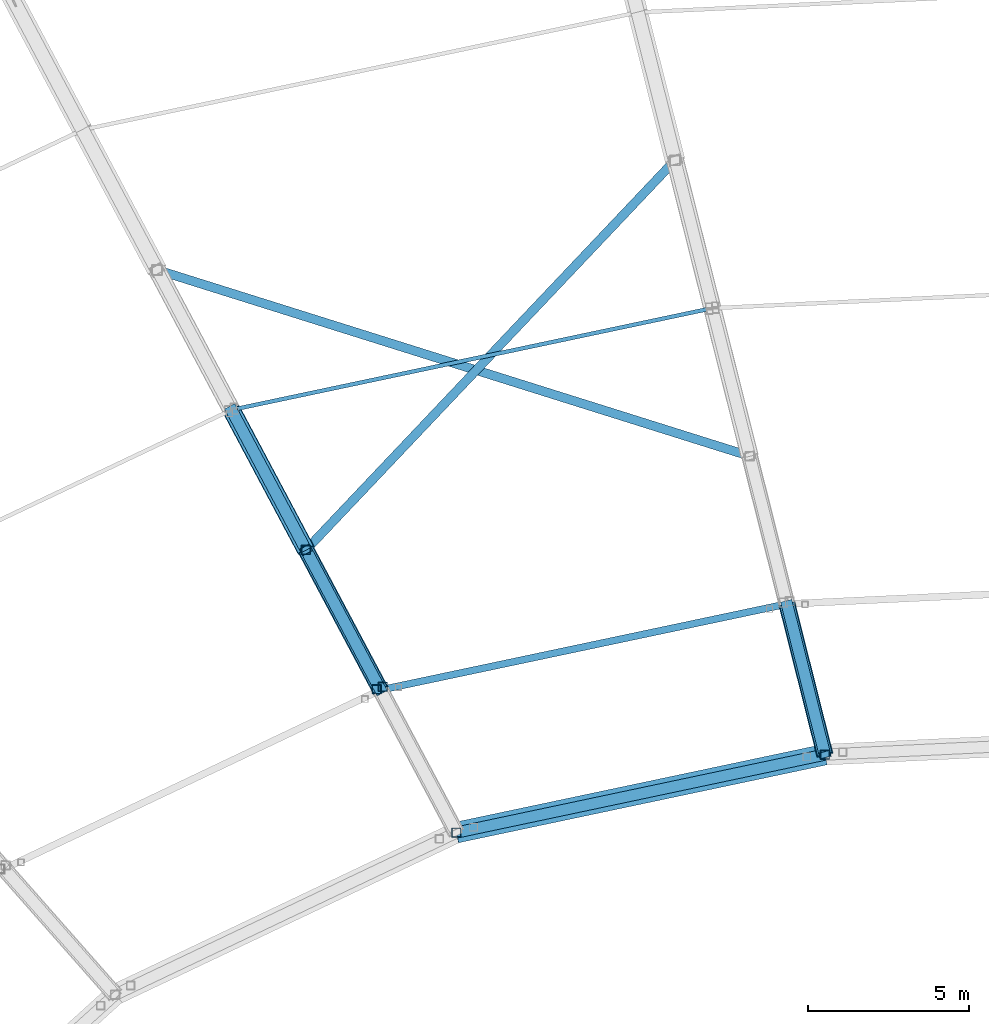
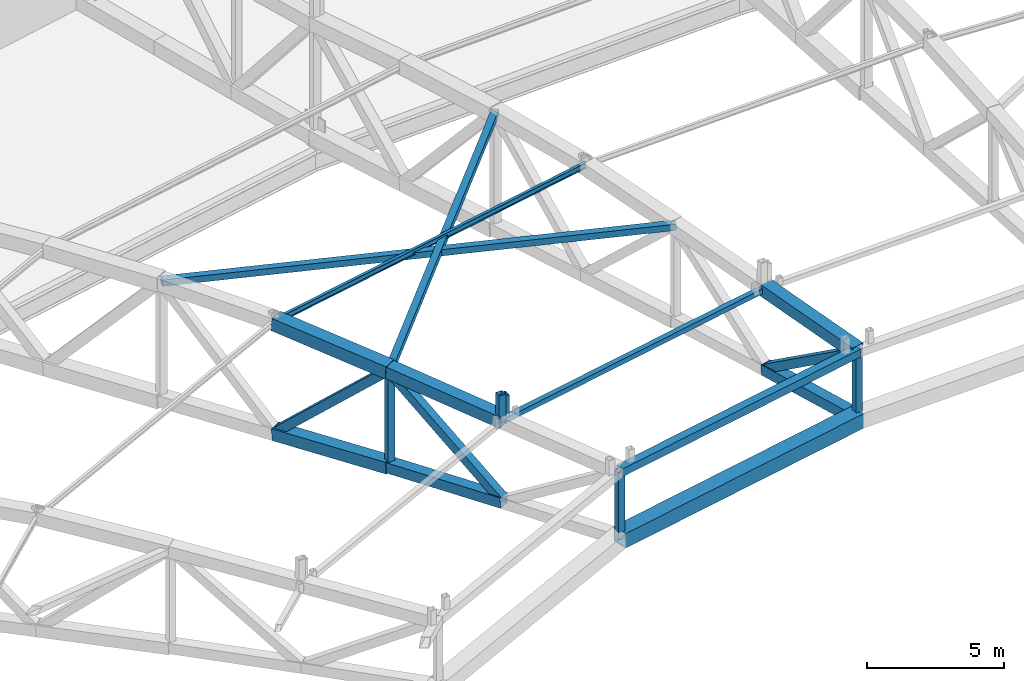
# One storey, part 74 of 162: 20 members.
"""IFC4 building model written with IfcOpenShell, lengths in metres."""

from ifc_helpers import new_model, si_unit, direction, frame, origin, origin_2d, place, context, subcontext, project, spatial, hollow_rectangle, i_section, extrude, material, material_profile, profile_set, type_object, element, save


model = new_model("IFC4")

# Units and contexts
model_context = context("Model", 3, precision=1e-05, world=origin(), true_north=direction((0.0, 1.0)))
body_context = subcontext(model_context, "Body", "Model", "MODEL_VIEW")
ifc_project = project(units=[si_unit("LENGTHUNIT", "METRE"), si_unit("AREAUNIT", "SQUARE_METRE"), si_unit("VOLUMEUNIT", "CUBIC_METRE"), si_unit("PLANEANGLEUNIT", "RADIAN"), si_unit("MASSUNIT", "GRAM", prefix="KILO")], contexts=[model_context])

# Site, building, storey
site_placement = place(None, origin())
site = spatial("IfcSite", under=ifc_project, at=site_placement, CompositionType="ELEMENT")
building_placement = place(site_placement, origin())
building = spatial("IfcBuilding", under=site, at=building_placement, Name="Kazemori Nagisa Stadium", CompositionType="ELEMENT")
storey_placement = place(building_placement, frame((0.0, 0.0, 36.719970703125)))
storey = spatial("IfcBuildingStorey", under=building, at=storey_placement, Name="RF", CompositionType="ELEMENT", Elevation=36.719970703125)

# Members
ifc_material_1 = material(Name="Steel STKR490", Category="steel")
ifc_material_profile_1 = material_profile(ifc_material_1, hollow_rectangle(XDim=0.280029296875, YDim=0.280029296875, WallThickness=0.010009765625, at=origin_2d()), Name="SHS-280x280x10")
ifc_profile_set_1 = profile_set([ifc_material_profile_1], Name="Steel STKR490")
member_type_1 = type_object("IfcMemberType", Name="Member_ST-SHS280", PredefinedType="STUD", material=ifc_profile_set_1)
member_1_placement = place(storey_placement, frame((97.819580078125, 149.568115234375, 5.662109375), z_axis=(0.0, 0.0, 1.0), x_axis=(1.0, 0.0, 0.0)))
element("IfcMember", 1, at=member_1_placement, inside=storey, type_object=member_type_1, Name="Canopy bearing stool B09-inner-3", PredefinedType="STUD", context=body_context, shape_type="SweptSolid", body=[
    extrude(hollow_rectangle(XDim=0.280029296875, YDim=0.280029296875, WallThickness=0.010009765625, at=origin_2d()), origin(), (0.0, 0.0, 1.0), 1.072998046875),
])
member_2_placement = place(storey_placement, frame((97.62646484375, 149.491943359375, 5.662109375), z_axis=(0.0, 0.0, 1.0), x_axis=(1.0, 0.0, 0.0)))
element("IfcMember", 2, at=member_2_placement, inside=storey, type_object=member_type_1, Name="Canopy bearing stool B10-inner-4", PredefinedType="STUD", context=body_context, shape_type="SweptSolid", body=[
    extrude(hollow_rectangle(XDim=0.280029296875, YDim=0.280029296875, WallThickness=0.010009765625, at=origin_2d()), origin(), (0.0, 0.0, 1.0), 1.2099609375),
])
ifc_material_profile_2 = material_profile(ifc_material_1, hollow_rectangle(XDim=0.280029296875, YDim=0.280029296875, WallThickness=0.010009765625, at=origin_2d()), Name="SHS-280x280x10")
ifc_profile_set_2 = profile_set([ifc_material_profile_2], Name="Steel STKR490")
member_type_2 = type_object("IfcMemberType", Name="Member_TB-SHS280", PredefinedType="BRACE", material=ifc_profile_set_2)
member_3_placement = place(storey_placement, frame((106.886474609375, 165.91015625, 6.251953125), z_axis=(-0.687644613023, -0.725977392027, -0.010085258874), x_axis=(0.726014315312, -0.687679586699, 0.0)))
element("IfcMember", 3, at=member_3_placement, inside=storey, type_object=member_type_2, Name="Roof space truss plan brace B09-1", PredefinedType="BRACE", context=body_context, shape_type="SweptSolid", body=[
    extrude(hollow_rectangle(XDim=0.280029296875, YDim=0.280029296875, WallThickness=0.010009765625, at=origin_2d()), origin(), (0.0, 0.0, 1.0), 16.65478515625),
])
member_4_placement = place(storey_placement, frame((90.810791015625, 162.509033203125, 6.369140625), z_axis=(0.953784043036, -0.299652165661, -0.022462832955), x_axis=(0.299727793357, 0.954024763771, 0.0)))
element("IfcMember", 4, at=member_4_placement, inside=storey, type_object=member_type_2, Name="Roof space truss plan brace B09-2", PredefinedType="BRACE", context=body_context, shape_type="SweptSolid", body=[
    extrude(hollow_rectangle(XDim=0.280029296875, YDim=0.280029296875, WallThickness=0.010009765625, at=origin_2d()), origin(), (0.0, 0.0, 1.0), 19.281005859375),
])
ifc_material_profile_3 = material_profile(ifc_material_1, hollow_rectangle(XDim=0.360107421875, YDim=0.360107421875, WallThickness=0.013916015625, at=origin_2d()), Name="SHS-360x360x14")
ifc_profile_set_3 = profile_set([ifc_material_profile_3], Name="Steel STKR490")
member_type_3 = type_object("IfcMemberType", Name="Member_TB-SHS360", PredefinedType="BRACE", material=ifc_profile_set_3)
member_5_placement = place(storey_placement, frame((110.357666015625, 152.142333984375, 1.9609375), z_axis=(0.204587816518, -0.811485049733, 0.547390024929), x_axis=(0.969657957975, 0.244465630583, 0.0)))
element("IfcMember", 5, at=member_5_placement, inside=storey, type_object=member_type_3, Name="Roof space truss diagonal RT-09-9", PredefinedType="BRACE", context=body_context, shape_type="SweptSolid", body=[
    extrude(hollow_rectangle(XDim=0.360107421875, YDim=0.360107421875, WallThickness=0.013916015625, at=origin_2d()), origin(), (0.0, 0.0, 1.0), 5.76025390625),
])
member_6_placement = place(storey_placement, frame((93.122314453125, 158.1640625, 1.489990234375), z_axis=(0.343337533763, -0.64537157672, 0.682359777442), x_axis=(0.88284131776, 0.469671382624, 0.0)))
element("IfcMember", 6, at=member_6_placement, inside=storey, type_object=member_type_3, Name="Roof space truss diagonal RT-10-7", PredefinedType="BRACE", context=body_context, shape_type="SweptSolid", body=[
    extrude(hollow_rectangle(XDim=0.360107421875, YDim=0.360107421875, WallThickness=0.013916015625, at=origin_2d()), origin(), (0.0, 0.0, 1.0), 6.732421875),
])
member_7_placement = place(storey_placement, frame((95.433837890625, 153.819091796875, 6.083984375), z_axis=(0.363600099984, -0.683569724255, -0.632872340503), x_axis=(0.882872826789, 0.469612150309, 0.0)))
element("IfcMember", 7, at=member_7_placement, inside=storey, type_object=member_type_3, Name="Roof space truss diagonal RT-10-8", PredefinedType="BRACE", context=body_context, shape_type="SweptSolid", body=[
    extrude(hollow_rectangle(XDim=0.360107421875, YDim=0.360107421875, WallThickness=0.013916015625, at=origin_2d()), origin(), (0.0, 0.0, 1.0), 6.356689453125),
])
ifc_material_profile_4 = material_profile(ifc_material_1, hollow_rectangle(XDim=0.35009765625, YDim=0.35009765625, WallThickness=0.01611328125, at=origin_2d()), Name="SHS-350x350x16")
ifc_profile_set_4 = profile_set([ifc_material_profile_4], Name="Steel STKR490")
member_type_4 = type_object("IfcMemberType", Name="Member_TC-SHS350", PredefinedType="CHORD", material=ifc_profile_set_4)
member_8_placement = place(storey_placement, frame((111.5361328125, 147.468017578125, 5.114013671875), z_axis=(-0.978286636935, -0.206976173736, 0.01077587586), x_axis=(0.206988191768, -0.97834344096, 0.0)))
element("IfcMember", 8, at=member_8_placement, inside=storey, type_object=member_type_4, Name="Roof tension ring beam upper TR-09", PredefinedType="CHORD", context=body_context, shape_type="SweptSolid", body=[
    extrude(hollow_rectangle(XDim=0.35009765625, YDim=0.35009765625, WallThickness=0.01611328125, at=origin_2d()), origin(), (0.0, 0.0, 1.0), 11.690673828125),
])
ifc_material_profile_5 = material_profile(ifc_material_1, hollow_rectangle(XDim=0.4599609375, YDim=0.4599609375, WallThickness=0.01611328125, at=origin_2d()), Name="SHS-460x460x16")
ifc_profile_set_5 = profile_set([ifc_material_profile_5], Name="Steel STKR490")
member_type_5 = type_object("IfcMemberType", Name="Member_TC-SHS460", PredefinedType="CHORD", material=ifc_profile_set_5)
member_9_placement = place(storey_placement, frame((110.357666015625, 152.142333984375, 1.9609375), z_axis=(0.244273639739, -0.968896438045, 0.03962425107), x_axis=(0.969657957975, 0.244465630583, 0.0)))
element("IfcMember", 9, at=member_9_placement, inside=storey, type_object=member_type_5, Name="Roof space truss bottom chord RT-09-9", PredefinedType="CHORD", context=body_context, shape_type="SweptSolid", body=[
    extrude(hollow_rectangle(XDim=0.4599609375, YDim=0.4599609375, WallThickness=0.01611328125, at=origin_2d()), origin(), (0.0, 0.0, 1.0), 4.824462890625),
])
member_10_placement = place(storey_placement, frame((95.433837890625, 153.819091796875, 1.81396484375), z_axis=(0.469021535473, -0.8817624684, 0.050137297338), x_axis=(0.882872826789, 0.469612150309, 0.0)))
element("IfcMember", 10, at=member_10_placement, inside=storey, type_object=member_type_5, Name="Roof space truss bottom chord RT-10-8", PredefinedType="CHORD", context=body_context, shape_type="SweptSolid", body=[
    extrude(hollow_rectangle(XDim=0.4599609375, YDim=0.4599609375, WallThickness=0.01611328125, at=origin_2d()), origin(), (0.0, 0.0, 1.0), 4.927978515625),
])
ifc_material_profile_6 = material_profile(ifc_material_1, hollow_rectangle(XDim=0.52001953125, YDim=0.52001953125, WallThickness=0.01904296875, at=origin_2d()), Name="SHS-520x520x19")
ifc_profile_set_6 = profile_set([ifc_material_profile_6], Name="Steel STKR490")
member_type_6 = type_object("IfcMemberType", Name="Member_TC-SHS520", PredefinedType="CHORD", material=ifc_profile_set_6)
member_11_placement = place(storey_placement, frame((110.357666015625, 152.142333984375, 5.525146484375), z_axis=(0.243581346873, -0.966150500771, -0.084978452068), x_axis=(0.969657957975, 0.244465630583, 0.0)))
element("IfcMember", 11, at=member_11_placement, inside=storey, type_object=member_type_6, Name="Roof space truss top chord RT-09-9", PredefinedType="CHORD", context=body_context, shape_type="SweptSolid", body=[
    extrude(hollow_rectangle(XDim=0.52001953125, YDim=0.52001953125, WallThickness=0.01904296875, at=origin_2d()), origin(), (0.0, 0.0, 1.0), 4.838134765625),
])
member_12_placement = place(storey_placement, frame((93.122314453125, 158.1640625, 1.489990234375), z_axis=(0.468657076575, -0.880934726638, 0.065685249326), x_axis=(0.88284131776, 0.469671382624, 0.0)))
element("IfcMember", 12, at=member_12_placement, inside=storey, type_object=member_type_6, Name="Roof space truss bottom chord RT-10-7", PredefinedType="CHORD", context=body_context, shape_type="SweptSolid", body=[
    extrude(hollow_rectangle(XDim=0.52001953125, YDim=0.52001953125, WallThickness=0.01904296875, at=origin_2d()), origin(), (0.0, 0.0, 1.0), 4.93212890625),
])
member_13_placement = place(storey_placement, frame((95.433837890625, 153.819091796875, 6.083984375), z_axis=(0.467896354988, -0.879647124334, -0.085404552806), x_axis=(0.882872826789, 0.469612150309, 0.0)))
element("IfcMember", 13, at=member_13_placement, inside=storey, type_object=member_type_6, Name="Roof space truss top chord RT-10-8", PredefinedType="CHORD", context=body_context, shape_type="SweptSolid", body=[
    extrude(hollow_rectangle(XDim=0.52001953125, YDim=0.52001953125, WallThickness=0.01904296875, at=origin_2d()), origin(), (0.0, 0.0, 1.0), 4.939697265625),
])
ifc_material_profile_7 = material_profile(ifc_material_1, hollow_rectangle(XDim=0.56005859375, YDim=0.56005859375, WallThickness=0.02001953125, at=origin_2d()), Name="SHS-560x560x20")
ifc_profile_set_7 = profile_set([ifc_material_profile_7], Name="Steel STKR490")
member_type_7 = type_object("IfcMemberType", Name="Member_TC-SHS560", PredefinedType="CHORD", material=ifc_profile_set_7)
member_14_placement = place(storey_placement, frame((93.122314453125, 158.1640625, 6.419921875), z_axis=(0.468581051741, -0.880791822754, -0.06809965433), x_axis=(0.88284131776, 0.469671382624, 0.0)))
element("IfcMember", 14, at=member_14_placement, inside=storey, type_object=member_type_7, Name="Roof space truss top chord RT-10-7", PredefinedType="CHORD", context=body_context, shape_type="SweptSolid", body=[
    extrude(hollow_rectangle(XDim=0.56005859375, YDim=0.56005859375, WallThickness=0.02001953125, at=origin_2d()), origin(), (0.0, 0.0, 1.0), 4.93310546875),
])
ifc_material_profile_8 = material_profile(ifc_material_1, hollow_rectangle(XDim=0.64990234375, YDim=0.64990234375, WallThickness=0.02490234375, at=origin_2d()), Name="SHS-650x650x25")
ifc_profile_set_8 = profile_set([ifc_material_profile_8], Name="Steel STKR490")
member_type_8 = type_object("IfcMemberType", Name="Member_TC-SHS650", PredefinedType="CHORD", material=ifc_profile_set_8)
member_15_placement = place(storey_placement, frame((111.5361328125, 147.468017578125, 2.152099609375), z_axis=(-0.978294490591, -0.206977835335, 0.010003267392), x_axis=(0.206988191768, -0.97834344096, 0.0)))
element("IfcMember", 15, at=member_15_placement, inside=storey, type_object=member_type_8, Name="Roof tension ring beam lower TR-09", PredefinedType="CHORD", context=body_context, shape_type="SweptSolid", body=[
    extrude(hollow_rectangle(XDim=0.64990234375, YDim=0.64990234375, WallThickness=0.02490234375, at=origin_2d()), origin(), (0.0, 0.0, 1.0), 11.6904296875),
])
ifc_material_2 = material(Name="Steel SN490B", Category="steel")
ifc_material_profile_9 = material_profile(ifc_material_2, i_section(OverallWidth=0.125, OverallDepth=0.25, WebThickness=0.006103515625, FlangeThickness=0.009033203125, FilletRadius=0.008056640625, at=origin_2d()), Name="H-250x125x6x9")
ifc_profile_set_9 = profile_set([ifc_material_profile_9], Name="Steel SN490B")
member_type_9 = type_object("IfcMemberType", Name="Member_TP-H250", PredefinedType="PURLIN", material=ifc_profile_set_9)
member_16_placement = place(storey_placement, frame((108.04345703125, 161.32080078125, 6.26611328125), z_axis=(-0.978295405337, -0.206969576239, 0.010084364504), x_axis=(0.206980100866, -0.978345152717, 0.0)))
element("IfcMember", 16, at=member_16_placement, inside=storey, type_object=member_type_9, Name="Roof purlin TP-H250 B09-P6", PredefinedType="PURLIN", context=body_context, shape_type="SweptSolid", body=[
    extrude(i_section(OverallWidth=0.125, OverallDepth=0.25, WebThickness=0.006103515625, FlangeThickness=0.009033203125, FilletRadius=0.008056640625, at=origin_2d()), origin(), (0.0, 0.0, 1.0), 15.252197265625),
])
ifc_material_profile_10 = material_profile(ifc_material_1, hollow_rectangle(XDim=0.219970703125, YDim=0.219970703125, WallThickness=0.009033203125, at=origin_2d()), Name="SHS-220x220x9")
ifc_profile_set_10 = profile_set([ifc_material_profile_10], Name="Steel STKR490")
member_type_10 = type_object("IfcMemberType", Name="Member_TP-SHS220", PredefinedType="PURLIN", material=ifc_profile_set_10)
member_17_placement = place(storey_placement, frame((110.357666015625, 152.142333984375, 5.525146484375), z_axis=(-0.978287931146, -0.206977934756, 0.010623478627), x_axis=(0.206989615333, -0.978343139775, 0.0)))
element("IfcMember", 17, at=member_17_placement, inside=storey, type_object=member_type_10, Name="Roof purlin TP-SHS220 B09-P8", PredefinedType="PURLIN", context=body_context, shape_type="SweptSolid", body=[
    extrude(hollow_rectangle(XDim=0.219970703125, YDim=0.219970703125, WallThickness=0.009033203125, at=origin_2d()), origin(), (0.0, 0.0, 1.0), 12.892578125),
])
ifc_material_profile_11 = material_profile(ifc_material_1, hollow_rectangle(XDim=0.280029296875, YDim=0.280029296875, WallThickness=0.010009765625, at=origin_2d()), Name="SHS-280x280x10")
ifc_profile_set_11 = profile_set([ifc_material_profile_11], Name="Steel STKR490")
member_type_11 = type_object("IfcMemberType", Name="Member_TS-SHS280", PredefinedType="STRUT", material=ifc_profile_set_11)
member_18_placement = place(storey_placement, frame((111.5361328125, 147.468017578125, 2.152099609375), z_axis=(0.0, 0.0, 1.0), x_axis=(1.0, 0.0, 0.0)))
element("IfcMember", 18, at=member_18_placement, inside=storey, type_object=member_type_11, Name="Roof space truss strut RT-09-10", PredefinedType="STRUT", context=body_context, shape_type="SweptSolid", body=[
    extrude(hollow_rectangle(XDim=0.280029296875, YDim=0.280029296875, WallThickness=0.010009765625, at=origin_2d()), origin(), (0.0, 0.0, 1.0), 2.9619140625),
])
member_19_placement = place(storey_placement, frame((95.433837890625, 153.819091796875, 1.81396484375), z_axis=(0.0, 0.0, 1.0), x_axis=(1.0, 0.0, 0.0)))
element("IfcMember", 19, at=member_19_placement, inside=storey, type_object=member_type_11, Name="Roof space truss strut RT-10-8", PredefinedType="STRUT", context=body_context, shape_type="SweptSolid", body=[
    extrude(hollow_rectangle(XDim=0.280029296875, YDim=0.280029296875, WallThickness=0.010009765625, at=origin_2d()), origin(), (0.0, 0.0, 1.0), 4.27001953125),
])
member_20_placement = place(storey_placement, frame((100.099365234375, 145.04833984375, 2.26904296875), z_axis=(0.0, 0.0, 1.0), x_axis=(1.0, 0.0, 0.0)))
element("IfcMember", 20, at=member_20_placement, inside=storey, type_object=member_type_11, Name="Roof space truss strut RT-10-10", PredefinedType="STRUT", context=body_context, shape_type="SweptSolid", body=[
    extrude(hollow_rectangle(XDim=0.280029296875, YDim=0.280029296875, WallThickness=0.010009765625, at=origin_2d()), origin(), (0.0, 0.0, 1.0), 2.970947265625),
])

save(model, "model.ifc")
